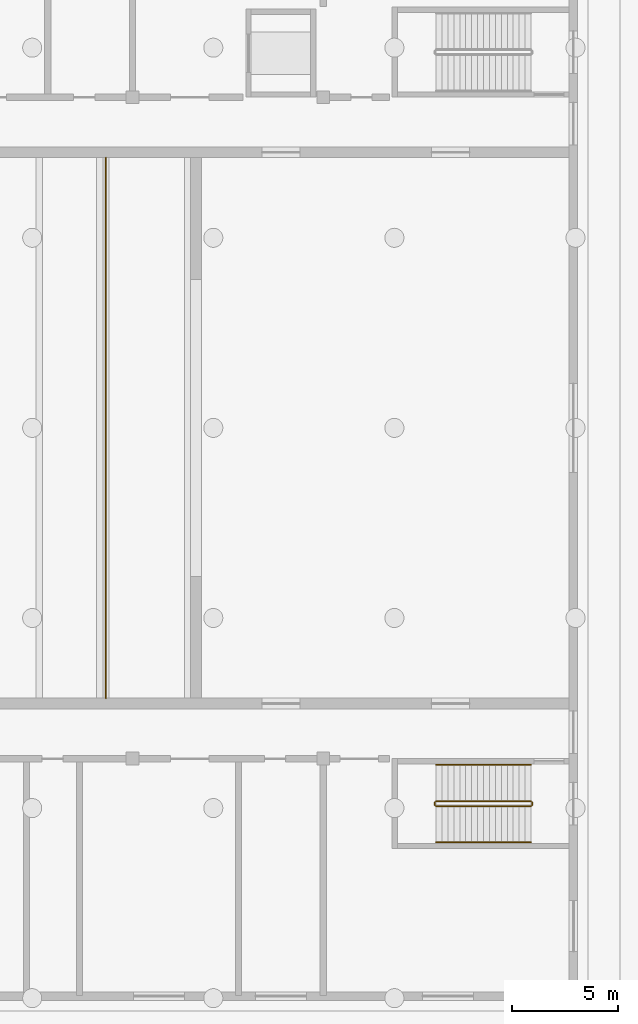
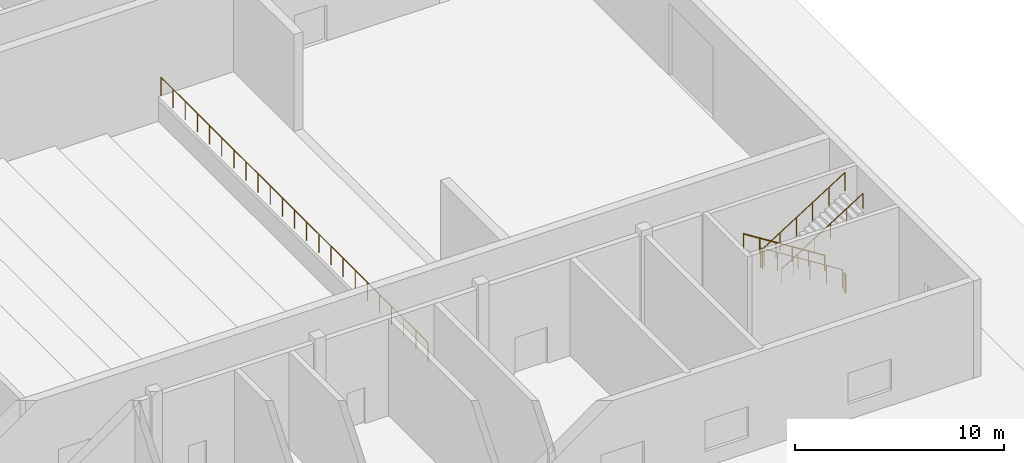
# One storey, part 44 of 47: 7 railings.
"""IFC4 building model written with IfcOpenShell, lengths in metres."""

from ifc_helpers import new_model, si_unit, direction, frame, origin, origin_2d, place, context, subcontext, project, spatial, circle, extrude, material, type_object, element, save


model = new_model("IFC4")

# Units and contexts
model_context = context("Model", 3, precision=1e-05, world=origin(), true_north=direction((0.0, 1.0)))
body_context = subcontext(model_context, "Body", "Model", "MODEL_VIEW")
ifc_project = project(units=[si_unit("LENGTHUNIT", "METRE"), si_unit("AREAUNIT", "SQUARE_METRE"), si_unit("VOLUMEUNIT", "CUBIC_METRE"), si_unit("PLANEANGLEUNIT", "RADIAN"), si_unit("MASSUNIT", "GRAM", prefix="KILO")], contexts=[model_context])

# Site, building, storey
site_placement = place(None, origin())
site = spatial("IfcSite", under=ifc_project, at=site_placement, CompositionType="ELEMENT")
building_placement = place(site_placement, origin())
building = spatial("IfcBuilding", under=site, at=building_placement, Name="Hunhe Ridgeline Campus", CompositionType="ELEMENT")
storey_placement = place(building_placement, origin())
storey = spatial("IfcBuildingStorey", under=building, at=storey_placement, Name="L00", CompositionType="ELEMENT", Elevation=0.0)

# Railings
ifc_material_1 = material(Name="Glass and steel", Category="steel")
railing_type_1 = type_object("IfcRailingType", Name="Hall glass guard 1100", PredefinedType="GUARDRAIL", material=ifc_material_1)
railing_1_placement = place(storey_placement, frame((187.75, 36.75, 0.0)))
element("IfcRailing", 1, at=railing_1_placement, inside=storey, type_object=railing_type_1, Name="Stage apron edge guard", PredefinedType="GUARDRAIL", context=body_context, shape_type="SweptSolid", body=[
    extrude(circle(Radius=0.02392578125, at=origin_2d()), frame((0.0, 0.0, 1.076171875), z_axis=(0.0, 1.0, 0.0), x_axis=(-1.0, 0.0, 0.0)), (0.0, 0.0, 1.0), 25.5),
    extrude(circle(Radius=0.02099609375, at=origin_2d()), origin(), (0.0, 0.0, 1.0), 1.052001953125),
    extrude(circle(Radius=0.02099609375, at=origin_2d()), frame((0.0, 1.1591796875, 0.0)), (0.0, 0.0, 1.0), 1.052001953125),
    extrude(circle(Radius=0.02099609375, at=origin_2d()), frame((0.0, 2.318115234375, 0.0)), (0.0, 0.0, 1.0), 1.052001953125),
    extrude(circle(Radius=0.02099609375, at=origin_2d()), frame((0.0, 3.477294921875, 0.0)), (0.0, 0.0, 1.0), 1.052001953125),
    extrude(circle(Radius=0.02099609375, at=origin_2d()), frame((0.0, 4.636474609375, 0.0)), (0.0, 0.0, 1.0), 1.052001953125),
    extrude(circle(Radius=0.02099609375, at=origin_2d()), frame((0.0, 5.79541015625, 0.0)), (0.0, 0.0, 1.0), 1.052001953125),
    extrude(circle(Radius=0.02099609375, at=origin_2d()), frame((0.0, 6.95458984375, 0.0)), (0.0, 0.0, 1.0), 1.052001953125),
    extrude(circle(Radius=0.02099609375, at=origin_2d()), frame((0.0, 8.113525390625, 0.0)), (0.0, 0.0, 1.0), 1.052001953125),
    extrude(circle(Radius=0.02099609375, at=origin_2d()), frame((0.0, 9.272705078125, 0.0)), (0.0, 0.0, 1.0), 1.052001953125),
    extrude(circle(Radius=0.02099609375, at=origin_2d()), frame((0.0, 10.431884765625, 0.0)), (0.0, 0.0, 1.0), 1.052001953125),
    extrude(circle(Radius=0.02099609375, at=origin_2d()), frame((0.0, 11.5908203125, 0.0)), (0.0, 0.0, 1.0), 1.052001953125),
    extrude(circle(Radius=0.02099609375, at=origin_2d()), frame((0.0, 12.75, 0.0)), (0.0, 0.0, 1.0), 1.052001953125),
    extrude(circle(Radius=0.02099609375, at=origin_2d()), frame((0.0, 13.9091796875, 0.0)), (0.0, 0.0, 1.0), 1.052001953125),
    extrude(circle(Radius=0.02099609375, at=origin_2d()), frame((0.0, 15.068115234375, 0.0)), (0.0, 0.0, 1.0), 1.052001953125),
    extrude(circle(Radius=0.02099609375, at=origin_2d()), frame((0.0, 16.227294921875, 0.0)), (0.0, 0.0, 1.0), 1.052001953125),
    extrude(circle(Radius=0.02099609375, at=origin_2d()), frame((0.0, 17.386474609375, 0.0)), (0.0, 0.0, 1.0), 1.052001953125),
    extrude(circle(Radius=0.02099609375, at=origin_2d()), frame((0.0, 18.54541015625, 0.0)), (0.0, 0.0, 1.0), 1.052001953125),
    extrude(circle(Radius=0.02099609375, at=origin_2d()), frame((0.0, 19.70458984375, 0.0)), (0.0, 0.0, 1.0), 1.052001953125),
    extrude(circle(Radius=0.02099609375, at=origin_2d()), frame((0.0, 20.863525390625, 0.0)), (0.0, 0.0, 1.0), 1.052001953125),
    extrude(circle(Radius=0.02099609375, at=origin_2d()), frame((0.0, 22.022705078125, 0.0)), (0.0, 0.0, 1.0), 1.052001953125),
    extrude(circle(Radius=0.02099609375, at=origin_2d()), frame((0.0, 23.181884765625, 0.0)), (0.0, 0.0, 1.0), 1.052001953125),
    extrude(circle(Radius=0.02099609375, at=origin_2d()), frame((0.0, 24.3408203125, 0.0)), (0.0, 0.0, 1.0), 1.052001953125),
    extrude(circle(Radius=0.02099609375, at=origin_2d()), frame((0.0, 25.5, 0.0)), (0.0, 0.0, 1.0), 1.052001953125),
])
ifc_material_2 = material(Name="Steel Q235", Category="steel")
railing_type_2 = type_object("IfcRailingType", Name="Hall stair guard 1100", PredefinedType="GUARDRAIL", material=ifc_material_2)
railing_2_placement = place(storey_placement, frame((207.800048828125, 31.89990234375, 0.176513671875)))
element("IfcRailing", 2, at=railing_2_placement, inside=storey, type_object=railing_type_2, Name="L00 HS3 stair guard 1", PredefinedType="GUARDRAIL", context=body_context, shape_type="SweptSolid", body=[
    extrude(circle(Radius=0.02392578125, at=origin_2d()), frame((0.0, 0.0, 1.076171875), z_axis=(-0.845997938375, 0.0, 0.533186166611), x_axis=(0.0, -1.0, 0.0)), (0.0, 0.0, 1.0), 5.29541015625),
    extrude(circle(Radius=0.02099609375, at=origin_2d()), origin(), (0.0, 0.0, 1.0), 1.052001953125),
    extrude(circle(Radius=0.02099609375, at=origin_2d()), frame((-0.89599609375, 0.0, 0.564697265625)), (0.0, 0.0, 1.0), 1.052001953125),
    extrude(circle(Radius=0.02099609375, at=origin_2d()), frame((-1.7919921875, 0.0, 1.12939453125)), (0.0, 0.0, 1.0), 1.052001953125),
    extrude(circle(Radius=0.02099609375, at=origin_2d()), frame((-2.68798828125, 0.0, 1.694091796875)), (0.0, 0.0, 1.0), 1.052001953125),
    extrude(circle(Radius=0.02099609375, at=origin_2d()), frame((-3.583984375, 0.0, 2.2587890625)), (0.0, 0.0, 1.0), 1.052001953125),
    extrude(circle(Radius=0.02099609375, at=origin_2d()), frame((-4.47998046875, 0.0, 2.823486328125)), (0.0, 0.0, 1.0), 1.052001953125),
])
railing_3_placement = place(storey_placement, frame((203.27001953125, 31.85009765625, 3.0)))
element("IfcRailing", 3, at=railing_3_placement, inside=storey, type_object=railing_type_2, Name="L00 HS3 stair guard 2", PredefinedType="GUARDRAIL", context=body_context, shape_type="SweptSolid", body=[
    extrude(circle(Radius=0.02392578125, at=origin_2d()), frame((0.0, 0.0, 1.076171875), z_axis=(0.0, -1.0, 0.0), x_axis=(1.0, 0.0, 0.0)), (0.0, 0.0, 1.0), 0.150146484375),
    extrude(circle(Radius=0.02099609375, at=origin_2d()), origin(), (0.0, 0.0, 1.0), 1.052001953125),
    extrude(circle(Radius=0.02099609375, at=origin_2d()), frame((0.0, -0.150146484375, 0.0)), (0.0, 0.0, 1.0), 1.052001953125),
])
railing_4_placement = place(storey_placement, frame((203.320068359375, 31.64990234375, 3.176513671875)))
element("IfcRailing", 4, at=railing_4_placement, inside=storey, type_object=railing_type_2, Name="L00 HS3 stair guard 3", PredefinedType="GUARDRAIL", context=body_context, shape_type="SweptSolid", body=[
    extrude(circle(Radius=0.02392578125, at=origin_2d()), frame((0.0, 0.0, 1.076171875), z_axis=(0.845997938375, 0.0, 0.533186166611), x_axis=(0.0, 1.0, 0.0)), (0.0, 0.0, 1.0), 5.29541015625),
    extrude(circle(Radius=0.02099609375, at=origin_2d()), origin(), (0.0, 0.0, 1.0), 1.052001953125),
    extrude(circle(Radius=0.02099609375, at=origin_2d()), frame((0.89599609375, 0.0, 0.564697265625)), (0.0, 0.0, 1.0), 1.052001953125),
    extrude(circle(Radius=0.02099609375, at=origin_2d()), frame((1.7919921875, 0.0, 1.12939453125)), (0.0, 0.0, 1.0), 1.052001953125),
    extrude(circle(Radius=0.02099609375, at=origin_2d()), frame((2.68798828125, 0.0, 1.694091796875)), (0.0, 0.0, 1.0), 1.052001953125),
    extrude(circle(Radius=0.02099609375, at=origin_2d()), frame((3.583984375, 0.0, 2.2587890625)), (0.0, 0.0, 1.0), 1.052001953125),
    extrude(circle(Radius=0.02099609375, at=origin_2d()), frame((4.47998046875, 0.0, 2.823486328125)), (0.0, 0.0, 1.0), 1.052001953125),
])
railing_5_placement = place(storey_placement, frame((207.85009765625, 31.85009765625, 0.0)))
element("IfcRailing", 5, at=railing_5_placement, inside=storey, type_object=railing_type_2, Name="L00 HS3 stair guard 4", PredefinedType="GUARDRAIL", context=body_context, shape_type="SweptSolid", body=[
    extrude(circle(Radius=0.02392578125, at=origin_2d()), frame((0.0, 0.0, 1.076171875), z_axis=(0.0, -1.0, 0.0), x_axis=(1.0, 0.0, 0.0)), (0.0, 0.0, 1.0), 0.150146484375),
    extrude(circle(Radius=0.02099609375, at=origin_2d()), origin(), (0.0, 0.0, 1.0), 1.052001953125),
    extrude(circle(Radius=0.02099609375, at=origin_2d()), frame((0.0, -0.150146484375, 0.0)), (0.0, 0.0, 1.0), 1.052001953125),
])
railing_type_3 = type_object("IfcRailingType", Name="Hall stair handrail", PredefinedType="HANDRAIL", material=ifc_material_2)
railing_6_placement = place(storey_placement, frame((207.800048828125, 33.60009765625, 0.176513671875)))
element("IfcRailing", 6, at=railing_6_placement, inside=storey, type_object=railing_type_3, Name="L00 HS3 stair handrail 1", PredefinedType="HANDRAIL", context=body_context, shape_type="SweptSolid", body=[
    extrude(circle(Radius=0.02392578125, at=origin_2d()), frame((0.0, 0.0, 0.8759765625), z_axis=(-0.845997938375, 0.0, 0.533186166611), x_axis=(0.0, -1.0, 0.0)), (0.0, 0.0, 1.0), 5.29541015625),
    extrude(circle(Radius=0.02099609375, at=origin_2d()), origin(), (0.0, 0.0, 1.0), 0.851806640625),
    extrude(circle(Radius=0.02099609375, at=origin_2d()), frame((-0.89599609375, 0.0, 0.564697265625)), (0.0, 0.0, 1.0), 0.851806640625),
    extrude(circle(Radius=0.02099609375, at=origin_2d()), frame((-1.7919921875, 0.0, 1.12939453125)), (0.0, 0.0, 1.0), 0.851806640625),
    extrude(circle(Radius=0.02099609375, at=origin_2d()), frame((-2.68798828125, 0.0, 1.694091796875)), (0.0, 0.0, 1.0), 0.851806640625),
    extrude(circle(Radius=0.02099609375, at=origin_2d()), frame((-3.583984375, 0.0, 2.2587890625)), (0.0, 0.0, 1.0), 0.851806640625),
    extrude(circle(Radius=0.02099609375, at=origin_2d()), frame((-4.47998046875, 0.0, 2.823486328125)), (0.0, 0.0, 1.0), 0.851806640625),
])
railing_7_placement = place(storey_placement, frame((203.320068359375, 29.949951171875, 3.176513671875)))
element("IfcRailing", 7, at=railing_7_placement, inside=storey, type_object=railing_type_3, Name="L00 HS3 stair handrail 2", PredefinedType="HANDRAIL", context=body_context, shape_type="SweptSolid", body=[
    extrude(circle(Radius=0.02392578125, at=origin_2d()), frame((0.0, 0.0, 0.8759765625), z_axis=(0.845997938375, 0.0, 0.533186166611), x_axis=(0.0, 1.0, 0.0)), (0.0, 0.0, 1.0), 5.29541015625),
    extrude(circle(Radius=0.02099609375, at=origin_2d()), origin(), (0.0, 0.0, 1.0), 0.851806640625),
    extrude(circle(Radius=0.02099609375, at=origin_2d()), frame((0.89599609375, 0.0, 0.564697265625)), (0.0, 0.0, 1.0), 0.851806640625),
    extrude(circle(Radius=0.02099609375, at=origin_2d()), frame((1.7919921875, 0.0, 1.12939453125)), (0.0, 0.0, 1.0), 0.851806640625),
    extrude(circle(Radius=0.02099609375, at=origin_2d()), frame((2.68798828125, 0.0, 1.694091796875)), (0.0, 0.0, 1.0), 0.851806640625),
    extrude(circle(Radius=0.02099609375, at=origin_2d()), frame((3.583984375, 0.0, 2.2587890625)), (0.0, 0.0, 1.0), 0.851806640625),
    extrude(circle(Radius=0.02099609375, at=origin_2d()), frame((4.47998046875, 0.0, 2.823486328125)), (0.0, 0.0, 1.0), 0.851806640625),
])

save(model, "model.ifc")
